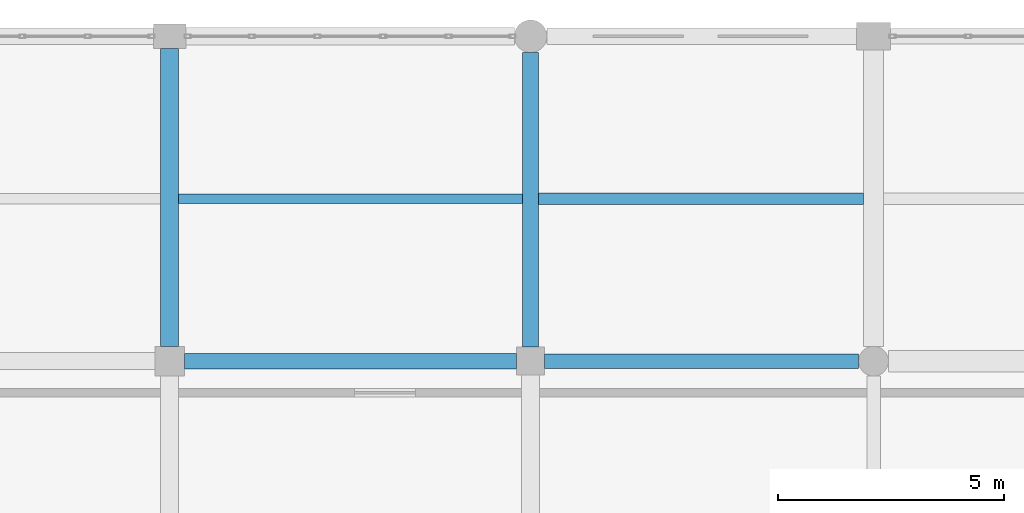
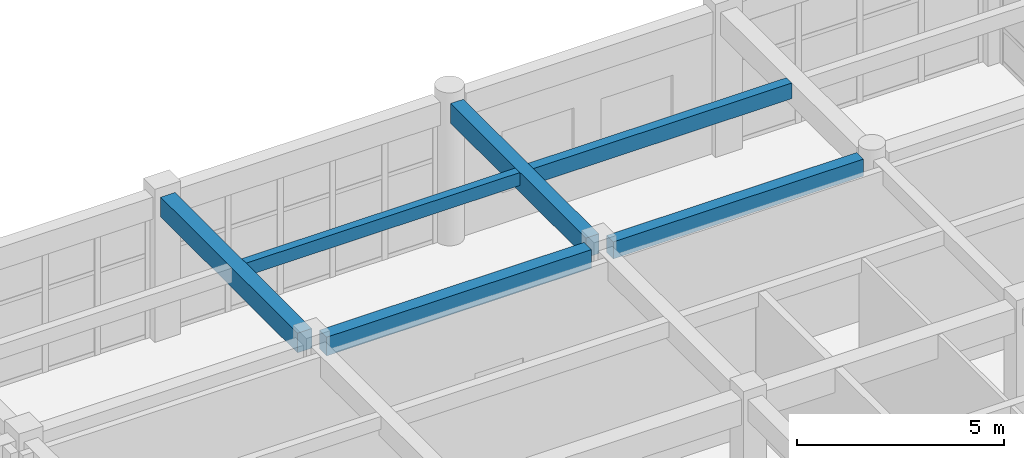
# One storey, part 108 of 160: 6 beams.
"""IFC4 building model written with IfcOpenShell, lengths in metres."""

from ifc_helpers import new_model, si_unit, direction, frame, origin, origin_2d, place, context, subcontext, project, spatial, rectangle, extrude, material, material_profile, profile_set, type_object, element, save


model = new_model("IFC4")

# Units and contexts
model_context = context("Model", 3, precision=1e-05, world=origin(), true_north=direction((0.0, 1.0)))
body_context = subcontext(model_context, "Body", "Model", "MODEL_VIEW")
ifc_project = project(units=[si_unit("LENGTHUNIT", "METRE"), si_unit("AREAUNIT", "SQUARE_METRE"), si_unit("VOLUMEUNIT", "CUBIC_METRE"), si_unit("PLANEANGLEUNIT", "RADIAN"), si_unit("MASSUNIT", "GRAM", prefix="KILO")], contexts=[model_context])

# Site, building, storey
site_placement = place(None, origin())
site = spatial("IfcSite", under=ifc_project, at=site_placement, CompositionType="ELEMENT")
building_placement = place(site_placement, origin())
building = spatial("IfcBuilding", under=site, at=building_placement, Name="Kharva Crest Polytechnic", CompositionType="ELEMENT")
storey_placement = place(building_placement, frame((0.0, 0.0, 4.5)))
storey = spatial("IfcBuildingStorey", under=building, at=storey_placement, Name="L01", CompositionType="ELEMENT", Elevation=4.5)

# Beams
ifc_material = material(Name="Concrete C35/45", Category="concrete")
ifc_material_profile_1 = material_profile(ifc_material, rectangle(XDim=0.320068359375, YDim=0.5, at=origin_2d()), Name="RECT 320 X 500")
ifc_profile_set_1 = profile_set([ifc_material_profile_1], Name="Concrete C35/45")
beam_type_1 = type_object("IfcBeamType", Name="BM-RC-320X500", PredefinedType="BEAM", material=ifc_profile_set_1)
beam_1_placement = place(storey_placement, frame((169.110107421875, 114.800048828125, 3.969970703125), z_axis=(1.0, 0.0, 0.0), x_axis=(0.0, 1.0, 0.0)))
element("IfcBeam", 1, at=beam_1_placement, inside=storey, type_object=beam_type_1, Name="L01 Beam R/22-23", PredefinedType="BEAM", context=body_context, shape_type="SweptSolid", body=[
    extrude(rectangle(XDim=0.320068359375, YDim=0.5, at=origin_2d()), origin(), (0.0, 0.0, 1.0), 6.9599609375),
])
ifc_material_profile_2 = material_profile(ifc_material, rectangle(XDim=0.35009765625, YDim=0.550048828125, at=origin_2d()), Name="RECT 350 X 550")
ifc_profile_set_2 = profile_set([ifc_material_profile_2], Name="Concrete C35/45")
beam_type_2 = type_object("IfcBeamType", Name="BM-RC-350X550", PredefinedType="BEAM", material=ifc_profile_set_2)
beam_2_placement = place(storey_placement, frame((161.125, 114.800048828125, 3.945068359375), z_axis=(1.0, 0.0, 0.0), x_axis=(0.0, 1.0, 0.0)))
element("IfcBeam", 2, at=beam_2_placement, inside=storey, type_object=beam_type_2, Name="L01 Beam R/21-22", PredefinedType="BEAM", context=body_context, shape_type="SweptSolid", body=[
    extrude(rectangle(XDim=0.35009765625, YDim=0.550048828125, at=origin_2d()), origin(), (0.0, 0.0, 1.0), 7.364990234375),
])
ifc_material_profile_3 = material_profile(ifc_material, rectangle(XDim=0.360107421875, YDim=0.580078125, at=origin_2d()), Name="RECT 360 X 580")
ifc_profile_set_3 = profile_set([ifc_material_profile_3], Name="Concrete C35/45")
beam_type_3 = type_object("IfcBeamType", Name="BM-RC-360X580", PredefinedType="BEAM", material=ifc_profile_set_3)
beam_3_placement = place(storey_placement, frame((168.800048828125, 115.110107421875, 3.929931640625), z_axis=(0.0, 1.0, 0.0), x_axis=(-1.0, 0.0, 0.0)))
element("IfcBeam", 3, at=beam_3_placement, inside=storey, type_object=beam_type_3, Name="L01 Girder 22/R-S", PredefinedType="BEAM", context=body_context, shape_type="SweptSolid", body=[
    extrude(rectangle(XDim=0.360107421875, YDim=0.580078125, at=origin_2d()), origin(), (0.0, 0.0, 1.0), 6.52978515625),
])
ifc_material_profile_4 = material_profile(ifc_material, rectangle(XDim=0.39990234375, YDim=0.580078125, at=origin_2d()), Name="RECT 400 X 580")
ifc_profile_set_4 = profile_set([ifc_material_profile_4], Name="Concrete C35/45")
beam_type_4 = type_object("IfcBeamType", Name="BM-RC-400X580", PredefinedType="BEAM", material=ifc_profile_set_4)
beam_4_placement = place(storey_placement, frame((160.800048828125, 115.125, 3.929931640625), z_axis=(0.0, 1.0, 0.0), x_axis=(-1.0, 0.0, 0.0)))
element("IfcBeam", 4, at=beam_4_placement, inside=storey, type_object=beam_type_4, Name="L01 Girder 21/R-S", PredefinedType="BEAM", context=body_context, shape_type="SweptSolid", body=[
    extrude(rectangle(XDim=0.39990234375, YDim=0.580078125, at=origin_2d()), origin(), (0.0, 0.0, 1.0), 6.60009765625),
])
ifc_material_profile_5 = material_profile(ifc_material, rectangle(XDim=0.219970703125, YDim=0.3798828125, at=origin_2d()), Name="RECT 220 X 380")
ifc_profile_set_5 = profile_set([ifc_material_profile_5], Name="Concrete C35/45")
beam_type_5 = type_object("IfcBeamType", Name="JS-RC-220X380", PredefinedType="JOIST", material=ifc_profile_set_5)
beam_5_placement = place(storey_placement, frame((161.0, 118.39990234375, 4.030029296875), z_axis=(1.0, 0.0, 0.0), x_axis=(0.0, 1.0, 0.0)))
element("IfcBeam", 5, at=beam_5_placement, inside=storey, type_object=beam_type_5, Name="L01 Floor Joist 53", PredefinedType="JOIST", context=body_context, shape_type="SweptSolid", body=[
    extrude(rectangle(XDim=0.219970703125, YDim=0.3798828125, at=origin_2d()), origin(), (0.0, 0.0, 1.0), 7.6201171875),
])
ifc_material_profile_6 = material_profile(ifc_material, rectangle(XDim=0.260009765625, YDim=0.4599609375, at=origin_2d()), Name="RECT 260 X 460")
ifc_profile_set_6 = profile_set([ifc_material_profile_6], Name="Concrete C35/45")
beam_type_6 = type_object("IfcBeamType", Name="JS-RC-260X460", PredefinedType="JOIST", material=ifc_profile_set_6)
beam_6_placement = place(storey_placement, frame((168.97998046875, 118.39990234375, 3.989990234375), z_axis=(1.0, 0.0, 0.0), x_axis=(0.0, 1.0, 0.0)))
element("IfcBeam", 6, at=beam_6_placement, inside=storey, type_object=beam_type_6, Name="L01 Floor Joist 54", PredefinedType="JOIST", context=body_context, shape_type="SweptSolid", body=[
    extrude(rectangle(XDim=0.260009765625, YDim=0.4599609375, at=origin_2d()), origin(), (0.0, 0.0, 1.0), 7.195068359375),
])

save(model, "model.ifc")
